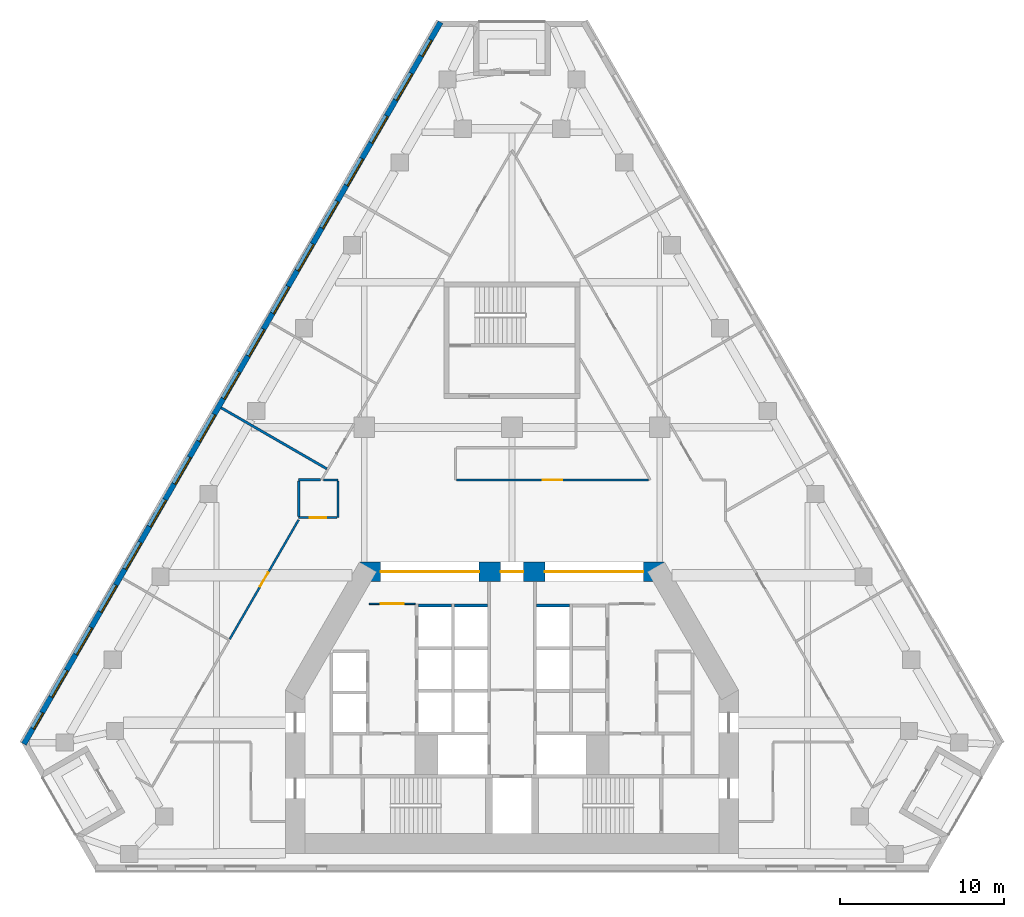
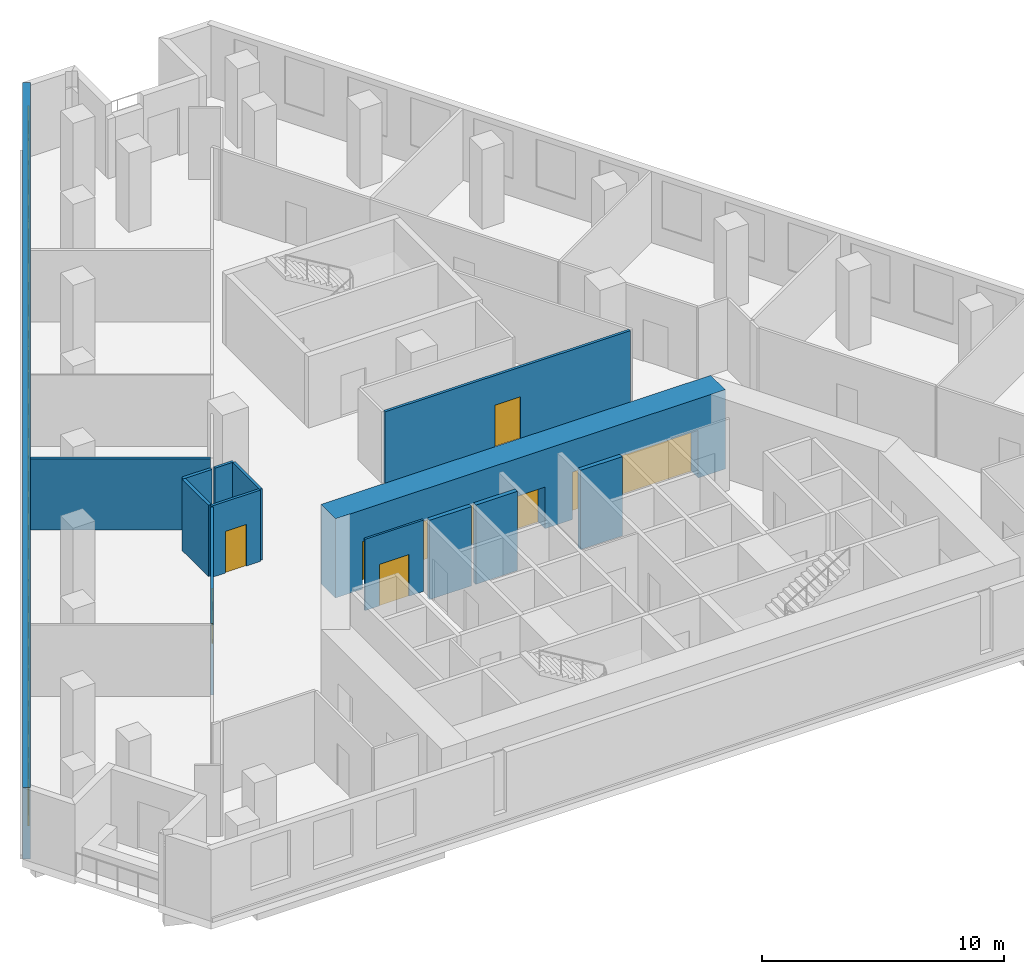
# One storey, part 5 of 10: 17 windows, 14 walls, 7 doors, 24 openings.
"""IFC4 building model written with IfcOpenShell, lengths in metres."""

from ifc_helpers import new_model, si_unit, direction, frame, frame_2d, origin, place, context, subcontext, project, spatial, rectangle, extrude, material, layer, layer_set, type_object, element, fill, save


model = new_model("IFC4")

# Units and contexts
model_context = context("Model", 3, precision=1e-05, world=origin(), true_north=direction((0.0, 1.0)))
body_context = subcontext(model_context, "Body", "Model", "MODEL_VIEW")
ifc_project = project(units=[si_unit("LENGTHUNIT", "METRE"), si_unit("AREAUNIT", "SQUARE_METRE"), si_unit("VOLUMEUNIT", "CUBIC_METRE"), si_unit("PLANEANGLEUNIT", "RADIAN"), si_unit("MASSUNIT", "GRAM", prefix="KILO")], contexts=[model_context])

# Site, building, storey
site_placement = place(None, origin())
site = spatial("IfcSite", under=ifc_project, at=site_placement, CompositionType="ELEMENT")
building_placement = place(site_placement, origin())
building = spatial("IfcBuilding", under=site, at=building_placement, Name="Fogline Exchange Tower", CompositionType="ELEMENT")
storey_placement = place(building_placement, frame((0.0, 0.0, 124.10009765625)))
storey = spatial("IfcBuildingStorey", under=building, at=storey_placement, Name="L27", CompositionType="ELEMENT", Elevation=124.10009765625)

# Wall, opening, door
ifc_material_1 = material(Name="Blockwork partition", Category="masonry")
ifc_layer_1 = layer(ifc_material_1, 0.10009765625)
ifc_layer_set_1 = layer_set([ifc_layer_1], Name="CW10")
wall_type_1 = type_object("IfcWallType", Name="CW10", PredefinedType="PARTITIONING", material=ifc_layer_set_1)
wall_1_placement = place(storey_placement, frame((-8.699951171875, 16.25, 0.0), z_axis=(0.0, 0.0, 1.0), x_axis=(1.0, 0.0, 0.0)))
wall_1 = element("IfcWall", 1, at=wall_1_placement, inside=storey, type_object=wall_type_1, Name="Lift lobby partition", PredefinedType="PARTITIONING", context=body_context, shape_type="SweptSolid", body=[
    extrude(rectangle(XDim=2.800048828125, YDim=0.10009765625, at=frame_2d((1.39990234375, 0.0))), origin(), (0.0, 0.0, 1.0), 3.599853515625),
])
opening_1_placement = place(wall_1_placement, frame((0.699951171875, 0.0, 0.0)))
opening_1 = element("IfcOpeningElement", 2, at=opening_1_placement, cuts=wall_1, Name="Opening T08-C007", PredefinedType="OPENING", context=body_context, shape_type="SweptSolid", body=[
    extrude(rectangle(XDim=1.39990234375, YDim=2.10009765625, at=frame_2d((0.699951171875, 1.050048828125))), frame((0.0, 0.06005859375, 0.0), z_axis=(0.0, -1.0, 0.0), x_axis=(1.0, 0.0, 0.0)), (0.0, 0.0, 1.0), 0.1201171875),
])
ifc_material_2 = material(Name="Steel and timber fire door", Category="steel")
door_type_1 = type_object("IfcDoorType", Name="D-LB1", OperationType="DOUBLE_DOOR_SINGLE_SWING", PredefinedType="DOOR", material=ifc_material_2)
door_1_placement = place(opening_1_placement, origin())
door_1 = element("IfcDoor", 3, at=door_1_placement, inside=storey, type_object=door_type_1, Name="Door to lift lobby", OperationType="DOUBLE_DOOR_SINGLE_SWING", OverallHeight=2.10009765625, OverallWidth=1.39990234375, PredefinedType="DOOR", context=body_context, shape_type="SweptSolid", body=[
    extrude(rectangle(XDim=1.39990234375, YDim=2.10009765625, at=frame_2d((0.699951171875, 1.050048828125))), frame((0.0, 0.02490234375, 0.0), z_axis=(0.0, -1.0, 0.0), x_axis=(1.0, 0.0, 0.0)), (0.0, 0.0, 1.0), 0.050048828125),
])
fill(opening_1, door_1)

# Walls
ifc_material_3 = material(Name="Concrete C40", Category="concrete")
ifc_layer_2 = layer(ifc_material_3, 0.199951171875)
ifc_layer_set_2 = layer_set([ifc_layer_2], Name="CW20S")
wall_type_2 = type_object("IfcWallType", Name="CW20S", PredefinedType="SOLIDWALL", material=ifc_layer_set_2)
for number, where, z_axis, x_axis, name in (
    (4, (-5.699951171875, 16.14990234375, -0.400146484375), (0.0, 0.0, 1.0), (1.0, 0.0, 0.0), "Lift shaft wall"),
    (5, (-3.5, 16.14990234375, -0.400146484375), (0.0, 0.0, 1.0), (1.0, 0.0, 0.0), "Lift shaft wall"),
    (6, (1.5, 16.14990234375, -0.400146484375), (0.0, 0.0, 1.0), (1.0, 0.0, 0.0), "Lift shaft wall"),
):
    element("IfcWall", number, at=place(storey_placement, frame(where, z_axis=z_axis, x_axis=x_axis)), inside=storey, type_object=wall_type_2, Name=name, PredefinedType="SOLIDWALL", context=body_context, shape_type="SweptSolid", body=[
        extrude(rectangle(XDim=2.0, YDim=0.199951171875, at=frame_2d((1.0, 0.0))), origin(), (0.0, 0.0, 1.0), 4.0),
    ])

# Wall, openings, windows
ifc_material_4 = material(Name="Brick masonry", Category="masonry")
ifc_layer_3 = layer(ifc_material_4, 0.340087890625)
ifc_layer_set_3 = layer_set([ifc_layer_3], Name="FW1")
wall_type_3 = type_object("IfcWallType", Name="FW1", PredefinedType="SOLIDWALL", material=ifc_layer_set_3)
wall_2_placement = place(storey_placement, frame((-4.352783203125, 51.691650390625, 0.0), z_axis=(0.0, 0.0, 1.0), x_axis=(-0.500000700546, -0.866024999324, 0.0)))
wall_2 = element("IfcWall", 7, at=wall_2_placement, inside=storey, type_object=wall_type_3, Name="Brick wall L27 W", PredefinedType="SOLIDWALL", context=body_context, shape_type="SweptSolid", body=[
    extrude(rectangle(XDim=50.78662109375, YDim=0.340087890625, at=frame_2d((25.393310546875, 0.0))), origin(), (0.0, 0.0, 1.0), 3.599853515625),
])
opening_2_placement = place(wall_2_placement, frame((3.58984375, 0.0, 0.89990234375)))
opening_2 = element("IfcOpeningElement", 8, at=opening_2_placement, cuts=wall_2, Name="Opening W1", PredefinedType="OPENING", context=body_context, shape_type="SweptSolid", body=[
    extrude(rectangle(XDim=1.885009765625, YDim=2.39990234375, at=frame_2d((0.9423828125, 1.199951171875))), frame((0.0, 0.18017578125, 0.0), z_axis=(0.0, -1.0, 0.0), x_axis=(1.0, 0.0, 0.0)), (0.0, 0.0, 1.0), 0.360107421875),
])
opening_3_placement = place(wall_2_placement, frame((6.58984375, 0.0, 0.89990234375)))
opening_3 = element("IfcOpeningElement", 9, at=opening_3_placement, cuts=wall_2, Name="Opening W1", PredefinedType="OPENING", context=body_context, shape_type="SweptSolid", body=[
    extrude(rectangle(XDim=1.885009765625, YDim=2.39990234375, at=frame_2d((0.9423828125, 1.199951171875))), frame((0.0, 0.18017578125, 0.0), z_axis=(0.0, -1.0, 0.0), x_axis=(1.0, 0.0, 0.0)), (0.0, 0.0, 1.0), 0.360107421875),
])
opening_4_placement = place(wall_2_placement, frame((9.58984375, 0.0, 0.89990234375)))
opening_4 = element("IfcOpeningElement", 10, at=opening_4_placement, cuts=wall_2, Name="Opening W1", PredefinedType="OPENING", context=body_context, shape_type="SweptSolid", body=[
    extrude(rectangle(XDim=1.885009765625, YDim=2.39990234375, at=frame_2d((0.9423828125, 1.199951171875))), frame((0.0, 0.18017578125, 0.0), z_axis=(0.0, -1.0, 0.0), x_axis=(1.0, 0.0, 0.0)), (0.0, 0.0, 1.0), 0.360107421875),
])
opening_5_placement = place(wall_2_placement, frame((12.58984375, 0.0, 0.89990234375)))
opening_5 = element("IfcOpeningElement", 11, at=opening_5_placement, cuts=wall_2, Name="Opening W1", PredefinedType="OPENING", context=body_context, shape_type="SweptSolid", body=[
    extrude(rectangle(XDim=1.885009765625, YDim=2.39990234375, at=frame_2d((0.9423828125, 1.199951171875))), frame((0.0, 0.18017578125, 0.0), z_axis=(0.0, -1.0, 0.0), x_axis=(1.0, 0.0, 0.0)), (0.0, 0.0, 1.0), 0.360107421875),
])
opening_6_placement = place(wall_2_placement, frame((15.58984375, 0.0, 0.89990234375)))
opening_6 = element("IfcOpeningElement", 12, at=opening_6_placement, cuts=wall_2, Name="Opening W1", PredefinedType="OPENING", context=body_context, shape_type="SweptSolid", body=[
    extrude(rectangle(XDim=1.885009765625, YDim=2.39990234375, at=frame_2d((0.9423828125, 1.199951171875))), frame((0.0, 0.18017578125, 0.0), z_axis=(0.0, -1.0, 0.0), x_axis=(1.0, 0.0, 0.0)), (0.0, 0.0, 1.0), 0.360107421875),
])
opening_7_placement = place(wall_2_placement, frame((18.58984375, 0.0, 0.89990234375)))
opening_7 = element("IfcOpeningElement", 13, at=opening_7_placement, cuts=wall_2, Name="Opening W1", PredefinedType="OPENING", context=body_context, shape_type="SweptSolid", body=[
    extrude(rectangle(XDim=1.885009765625, YDim=2.39990234375, at=frame_2d((0.9423828125, 1.199951171875))), frame((0.0, 0.18017578125, 0.0), z_axis=(0.0, -1.0, 0.0), x_axis=(1.0, 0.0, 0.0)), (0.0, 0.0, 1.0), 0.360107421875),
])
opening_8_placement = place(wall_2_placement, frame((21.58984375, 0.0, 0.89990234375)))
opening_8 = element("IfcOpeningElement", 14, at=opening_8_placement, cuts=wall_2, Name="Opening W1", PredefinedType="OPENING", context=body_context, shape_type="SweptSolid", body=[
    extrude(rectangle(XDim=1.885009765625, YDim=2.39990234375, at=frame_2d((0.9423828125, 1.199951171875))), frame((0.0, 0.18017578125, 0.0), z_axis=(0.0, -1.0, 0.0), x_axis=(1.0, 0.0, 0.0)), (0.0, 0.0, 1.0), 0.360107421875),
])
opening_9_placement = place(wall_2_placement, frame((24.58984375, 0.0, 0.89990234375)))
opening_9 = element("IfcOpeningElement", 15, at=opening_9_placement, cuts=wall_2, Name="Opening W1", PredefinedType="OPENING", context=body_context, shape_type="SweptSolid", body=[
    extrude(rectangle(XDim=1.885009765625, YDim=2.39990234375, at=frame_2d((0.9423828125, 1.199951171875))), frame((0.0, 0.18017578125, 0.0), z_axis=(0.0, -1.0, 0.0), x_axis=(1.0, 0.0, 0.0)), (0.0, 0.0, 1.0), 0.360107421875),
])
opening_10_placement = place(wall_2_placement, frame((27.58984375, 0.0, 0.89990234375)))
opening_10 = element("IfcOpeningElement", 16, at=opening_10_placement, cuts=wall_2, Name="Opening W1", PredefinedType="OPENING", context=body_context, shape_type="SweptSolid", body=[
    extrude(rectangle(XDim=1.885009765625, YDim=2.39990234375, at=frame_2d((0.9423828125, 1.199951171875))), frame((0.0, 0.18017578125, 0.0), z_axis=(0.0, -1.0, 0.0), x_axis=(1.0, 0.0, 0.0)), (0.0, 0.0, 1.0), 0.360107421875),
])
opening_11_placement = place(wall_2_placement, frame((30.58984375, 0.0, 0.89990234375)))
opening_11 = element("IfcOpeningElement", 17, at=opening_11_placement, cuts=wall_2, Name="Opening W1", PredefinedType="OPENING", context=body_context, shape_type="SweptSolid", body=[
    extrude(rectangle(XDim=1.885009765625, YDim=2.39990234375, at=frame_2d((0.9423828125, 1.199951171875))), frame((0.0, 0.18017578125, 0.0), z_axis=(0.0, -1.0, 0.0), x_axis=(1.0, 0.0, 0.0)), (0.0, 0.0, 1.0), 0.360107421875),
])
opening_12_placement = place(wall_2_placement, frame((33.58984375, 0.0, 0.89990234375)))
opening_12 = element("IfcOpeningElement", 18, at=opening_12_placement, cuts=wall_2, Name="Opening W1", PredefinedType="OPENING", context=body_context, shape_type="SweptSolid", body=[
    extrude(rectangle(XDim=1.885009765625, YDim=2.39990234375, at=frame_2d((0.9423828125, 1.199951171875))), frame((0.0, 0.18017578125, 0.0), z_axis=(0.0, -1.0, 0.0), x_axis=(1.0, 0.0, 0.0)), (0.0, 0.0, 1.0), 0.360107421875),
])
opening_13_placement = place(wall_2_placement, frame((36.58984375, 0.0, 0.89990234375)))
opening_13 = element("IfcOpeningElement", 19, at=opening_13_placement, cuts=wall_2, Name="Opening W1", PredefinedType="OPENING", context=body_context, shape_type="SweptSolid", body=[
    extrude(rectangle(XDim=1.885009765625, YDim=2.39990234375, at=frame_2d((0.9423828125, 1.199951171875))), frame((0.0, 0.18017578125, 0.0), z_axis=(0.0, -1.0, 0.0), x_axis=(1.0, 0.0, 0.0)), (0.0, 0.0, 1.0), 0.360107421875),
])
opening_14_placement = place(wall_2_placement, frame((39.58984375, 0.0, 0.89990234375)))
opening_14 = element("IfcOpeningElement", 20, at=opening_14_placement, cuts=wall_2, Name="Opening W1", PredefinedType="OPENING", context=body_context, shape_type="SweptSolid", body=[
    extrude(rectangle(XDim=1.885009765625, YDim=2.39990234375, at=frame_2d((0.9423828125, 1.199951171875))), frame((0.0, 0.18017578125, 0.0), z_axis=(0.0, -1.0, 0.0), x_axis=(1.0, 0.0, 0.0)), (0.0, 0.0, 1.0), 0.360107421875),
])
opening_15_placement = place(wall_2_placement, frame((42.58984375, 0.0, 0.89990234375)))
opening_15 = element("IfcOpeningElement", 21, at=opening_15_placement, cuts=wall_2, Name="Opening W1", PredefinedType="OPENING", context=body_context, shape_type="SweptSolid", body=[
    extrude(rectangle(XDim=1.885009765625, YDim=2.39990234375, at=frame_2d((0.9423828125, 1.199951171875))), frame((0.0, 0.18017578125, 0.0), z_axis=(0.0, -1.0, 0.0), x_axis=(1.0, 0.0, 0.0)), (0.0, 0.0, 1.0), 0.360107421875),
])
opening_16_placement = place(wall_2_placement, frame((45.58984375, 0.0, 0.89990234375)))
opening_16 = element("IfcOpeningElement", 22, at=opening_16_placement, cuts=wall_2, Name="Opening W1", PredefinedType="OPENING", context=body_context, shape_type="SweptSolid", body=[
    extrude(rectangle(XDim=1.885009765625, YDim=2.39990234375, at=frame_2d((0.9423828125, 1.199951171875))), frame((0.0, 0.18017578125, 0.0), z_axis=(0.0, -1.0, 0.0), x_axis=(1.0, 0.0, 0.0)), (0.0, 0.0, 1.0), 0.360107421875),
])
opening_17_placement = place(wall_2_placement, frame((1.237548828125, 0.0, 0.89990234375)))
opening_17 = element("IfcOpeningElement", 23, at=opening_17_placement, cuts=wall_2, Name="Opening W4", PredefinedType="OPENING", context=body_context, shape_type="SweptSolid", body=[
    extrude(rectangle(XDim=1.114990234375, YDim=2.39990234375, at=frame_2d((0.5576171875, 1.199951171875))), frame((0.0, 0.18017578125, 0.0), z_axis=(0.0, -1.0, 0.0), x_axis=(1.0, 0.0, 0.0)), (0.0, 0.0, 1.0), 0.360107421875),
])
opening_18_placement = place(wall_2_placement, frame((48.5732421875, 0.0, 0.89990234375)))
opening_18 = element("IfcOpeningElement", 24, at=opening_18_placement, cuts=wall_2, Name="Opening W4", PredefinedType="OPENING", context=body_context, shape_type="SweptSolid", body=[
    extrude(rectangle(XDim=1.114990234375, YDim=2.39990234375, at=frame_2d((0.5576171875, 1.199951171875))), frame((0.0, 0.18017578125, 0.0), z_axis=(0.0, -1.0, 0.0), x_axis=(1.0, 0.0, 0.0)), (0.0, 0.0, 1.0), 0.360107421875),
])
ifc_material_5 = material(Name="Aluminium and glass", Category="aluminium")
window_type_1 = type_object("IfcWindowType", Name="W1", PartitioningType="SINGLE_PANEL", PredefinedType="WINDOW", material=ifc_material_5)
window_1_placement = place(opening_2_placement, origin())
window_1 = element("IfcWindow", 25, at=window_1_placement, inside=storey, type_object=window_type_1, Name="W1 W1", OverallHeight=2.39990234375, OverallWidth=1.885009765625, PartitioningType="SINGLE_PANEL", PredefinedType="WINDOW", context=body_context, shape_type="SweptSolid", body=[
    extrude(rectangle(XDim=1.885009765625, YDim=2.39990234375, at=frame_2d((0.9423828125, 1.199951171875))), frame((0.0, 0.110107421875, 0.0), z_axis=(0.0, -1.0, 0.0), x_axis=(1.0, 0.0, 0.0)), (0.0, 0.0, 1.0), 0.06005859375),
])
fill(opening_2, window_1)
window_2_placement = place(opening_3_placement, origin())
window_2 = element("IfcWindow", 26, at=window_2_placement, inside=storey, type_object=window_type_1, Name="W1 W1", OverallHeight=2.39990234375, OverallWidth=1.885009765625, PartitioningType="SINGLE_PANEL", PredefinedType="WINDOW", context=body_context, shape_type="SweptSolid", body=[
    extrude(rectangle(XDim=1.885009765625, YDim=2.39990234375, at=frame_2d((0.9423828125, 1.199951171875))), frame((0.0, 0.110107421875, 0.0), z_axis=(0.0, -1.0, 0.0), x_axis=(1.0, 0.0, 0.0)), (0.0, 0.0, 1.0), 0.06005859375),
])
fill(opening_3, window_2)
window_3_placement = place(opening_4_placement, origin())
window_3 = element("IfcWindow", 27, at=window_3_placement, inside=storey, type_object=window_type_1, Name="W1 W1", OverallHeight=2.39990234375, OverallWidth=1.885009765625, PartitioningType="SINGLE_PANEL", PredefinedType="WINDOW", context=body_context, shape_type="SweptSolid", body=[
    extrude(rectangle(XDim=1.885009765625, YDim=2.39990234375, at=frame_2d((0.9423828125, 1.199951171875))), frame((0.0, 0.110107421875, 0.0), z_axis=(0.0, -1.0, 0.0), x_axis=(1.0, 0.0, 0.0)), (0.0, 0.0, 1.0), 0.06005859375),
])
fill(opening_4, window_3)
window_4_placement = place(opening_5_placement, origin())
window_4 = element("IfcWindow", 28, at=window_4_placement, inside=storey, type_object=window_type_1, Name="W1 W1", OverallHeight=2.39990234375, OverallWidth=1.885009765625, PartitioningType="SINGLE_PANEL", PredefinedType="WINDOW", context=body_context, shape_type="SweptSolid", body=[
    extrude(rectangle(XDim=1.885009765625, YDim=2.39990234375, at=frame_2d((0.9423828125, 1.199951171875))), frame((0.0, 0.110107421875, 0.0), z_axis=(0.0, -1.0, 0.0), x_axis=(1.0, 0.0, 0.0)), (0.0, 0.0, 1.0), 0.06005859375),
])
fill(opening_5, window_4)
window_5_placement = place(opening_6_placement, origin())
window_5 = element("IfcWindow", 29, at=window_5_placement, inside=storey, type_object=window_type_1, Name="W1 W1", OverallHeight=2.39990234375, OverallWidth=1.885009765625, PartitioningType="SINGLE_PANEL", PredefinedType="WINDOW", context=body_context, shape_type="SweptSolid", body=[
    extrude(rectangle(XDim=1.885009765625, YDim=2.39990234375, at=frame_2d((0.9423828125, 1.199951171875))), frame((0.0, 0.110107421875, 0.0), z_axis=(0.0, -1.0, 0.0), x_axis=(1.0, 0.0, 0.0)), (0.0, 0.0, 1.0), 0.06005859375),
])
fill(opening_6, window_5)
window_6_placement = place(opening_7_placement, origin())
window_6 = element("IfcWindow", 30, at=window_6_placement, inside=storey, type_object=window_type_1, Name="W1 W1", OverallHeight=2.39990234375, OverallWidth=1.885009765625, PartitioningType="SINGLE_PANEL", PredefinedType="WINDOW", context=body_context, shape_type="SweptSolid", body=[
    extrude(rectangle(XDim=1.885009765625, YDim=2.39990234375, at=frame_2d((0.9423828125, 1.199951171875))), frame((0.0, 0.110107421875, 0.0), z_axis=(0.0, -1.0, 0.0), x_axis=(1.0, 0.0, 0.0)), (0.0, 0.0, 1.0), 0.06005859375),
])
fill(opening_7, window_6)
window_7_placement = place(opening_8_placement, origin())
window_7 = element("IfcWindow", 31, at=window_7_placement, inside=storey, type_object=window_type_1, Name="W1 W1", OverallHeight=2.39990234375, OverallWidth=1.885009765625, PartitioningType="SINGLE_PANEL", PredefinedType="WINDOW", context=body_context, shape_type="SweptSolid", body=[
    extrude(rectangle(XDim=1.885009765625, YDim=2.39990234375, at=frame_2d((0.9423828125, 1.199951171875))), frame((0.0, 0.110107421875, 0.0), z_axis=(0.0, -1.0, 0.0), x_axis=(1.0, 0.0, 0.0)), (0.0, 0.0, 1.0), 0.06005859375),
])
fill(opening_8, window_7)
window_8_placement = place(opening_9_placement, origin())
window_8 = element("IfcWindow", 32, at=window_8_placement, inside=storey, type_object=window_type_1, Name="W1 W1", OverallHeight=2.39990234375, OverallWidth=1.885009765625, PartitioningType="SINGLE_PANEL", PredefinedType="WINDOW", context=body_context, shape_type="SweptSolid", body=[
    extrude(rectangle(XDim=1.885009765625, YDim=2.39990234375, at=frame_2d((0.9423828125, 1.199951171875))), frame((0.0, 0.110107421875, 0.0), z_axis=(0.0, -1.0, 0.0), x_axis=(1.0, 0.0, 0.0)), (0.0, 0.0, 1.0), 0.06005859375),
])
fill(opening_9, window_8)
window_9_placement = place(opening_10_placement, origin())
window_9 = element("IfcWindow", 33, at=window_9_placement, inside=storey, type_object=window_type_1, Name="W1 W1", OverallHeight=2.39990234375, OverallWidth=1.885009765625, PartitioningType="SINGLE_PANEL", PredefinedType="WINDOW", context=body_context, shape_type="SweptSolid", body=[
    extrude(rectangle(XDim=1.885009765625, YDim=2.39990234375, at=frame_2d((0.9423828125, 1.199951171875))), frame((0.0, 0.110107421875, 0.0), z_axis=(0.0, -1.0, 0.0), x_axis=(1.0, 0.0, 0.0)), (0.0, 0.0, 1.0), 0.06005859375),
])
fill(opening_10, window_9)
window_10_placement = place(opening_11_placement, origin())
window_10 = element("IfcWindow", 34, at=window_10_placement, inside=storey, type_object=window_type_1, Name="W1 W1", OverallHeight=2.39990234375, OverallWidth=1.885009765625, PartitioningType="SINGLE_PANEL", PredefinedType="WINDOW", context=body_context, shape_type="SweptSolid", body=[
    extrude(rectangle(XDim=1.885009765625, YDim=2.39990234375, at=frame_2d((0.9423828125, 1.199951171875))), frame((0.0, 0.110107421875, 0.0), z_axis=(0.0, -1.0, 0.0), x_axis=(1.0, 0.0, 0.0)), (0.0, 0.0, 1.0), 0.06005859375),
])
fill(opening_11, window_10)
window_11_placement = place(opening_12_placement, origin())
window_11 = element("IfcWindow", 35, at=window_11_placement, inside=storey, type_object=window_type_1, Name="W1 W1", OverallHeight=2.39990234375, OverallWidth=1.885009765625, PartitioningType="SINGLE_PANEL", PredefinedType="WINDOW", context=body_context, shape_type="SweptSolid", body=[
    extrude(rectangle(XDim=1.885009765625, YDim=2.39990234375, at=frame_2d((0.9423828125, 1.199951171875))), frame((0.0, 0.110107421875, 0.0), z_axis=(0.0, -1.0, 0.0), x_axis=(1.0, 0.0, 0.0)), (0.0, 0.0, 1.0), 0.06005859375),
])
fill(opening_12, window_11)
window_12_placement = place(opening_13_placement, origin())
window_12 = element("IfcWindow", 36, at=window_12_placement, inside=storey, type_object=window_type_1, Name="W1 W1", OverallHeight=2.39990234375, OverallWidth=1.885009765625, PartitioningType="SINGLE_PANEL", PredefinedType="WINDOW", context=body_context, shape_type="SweptSolid", body=[
    extrude(rectangle(XDim=1.885009765625, YDim=2.39990234375, at=frame_2d((0.9423828125, 1.199951171875))), frame((0.0, 0.110107421875, 0.0), z_axis=(0.0, -1.0, 0.0), x_axis=(1.0, 0.0, 0.0)), (0.0, 0.0, 1.0), 0.06005859375),
])
fill(opening_13, window_12)
window_13_placement = place(opening_14_placement, origin())
window_13 = element("IfcWindow", 37, at=window_13_placement, inside=storey, type_object=window_type_1, Name="W1 W1", OverallHeight=2.39990234375, OverallWidth=1.885009765625, PartitioningType="SINGLE_PANEL", PredefinedType="WINDOW", context=body_context, shape_type="SweptSolid", body=[
    extrude(rectangle(XDim=1.885009765625, YDim=2.39990234375, at=frame_2d((0.9423828125, 1.199951171875))), frame((0.0, 0.110107421875, 0.0), z_axis=(0.0, -1.0, 0.0), x_axis=(1.0, 0.0, 0.0)), (0.0, 0.0, 1.0), 0.06005859375),
])
fill(opening_14, window_13)
window_14_placement = place(opening_15_placement, origin())
window_14 = element("IfcWindow", 38, at=window_14_placement, inside=storey, type_object=window_type_1, Name="W1 W1", OverallHeight=2.39990234375, OverallWidth=1.885009765625, PartitioningType="SINGLE_PANEL", PredefinedType="WINDOW", context=body_context, shape_type="SweptSolid", body=[
    extrude(rectangle(XDim=1.885009765625, YDim=2.39990234375, at=frame_2d((0.9423828125, 1.199951171875))), frame((0.0, 0.110107421875, 0.0), z_axis=(0.0, -1.0, 0.0), x_axis=(1.0, 0.0, 0.0)), (0.0, 0.0, 1.0), 0.06005859375),
])
fill(opening_15, window_14)
window_15_placement = place(opening_16_placement, origin())
window_15 = element("IfcWindow", 39, at=window_15_placement, inside=storey, type_object=window_type_1, Name="W1 W1", OverallHeight=2.39990234375, OverallWidth=1.885009765625, PartitioningType="SINGLE_PANEL", PredefinedType="WINDOW", context=body_context, shape_type="SweptSolid", body=[
    extrude(rectangle(XDim=1.885009765625, YDim=2.39990234375, at=frame_2d((0.9423828125, 1.199951171875))), frame((0.0, 0.110107421875, 0.0), z_axis=(0.0, -1.0, 0.0), x_axis=(1.0, 0.0, 0.0)), (0.0, 0.0, 1.0), 0.06005859375),
])
fill(opening_16, window_15)
window_type_2 = type_object("IfcWindowType", Name="W4", PartitioningType="SINGLE_PANEL", PredefinedType="WINDOW", material=ifc_material_5)
window_16_placement = place(opening_17_placement, origin())
window_16 = element("IfcWindow", 40, at=window_16_placement, inside=storey, type_object=window_type_2, Name="W4 W4", OverallHeight=2.39990234375, OverallWidth=1.114990234375, PartitioningType="SINGLE_PANEL", PredefinedType="WINDOW", context=body_context, shape_type="SweptSolid", body=[
    extrude(rectangle(XDim=1.114990234375, YDim=2.39990234375, at=frame_2d((0.5576171875, 1.199951171875))), frame((0.0, 0.110107421875, 0.0), z_axis=(0.0, -1.0, 0.0), x_axis=(1.0, 0.0, 0.0)), (0.0, 0.0, 1.0), 0.06005859375),
])
fill(opening_17, window_16)
window_17_placement = place(opening_18_placement, origin())
window_17 = element("IfcWindow", 41, at=window_17_placement, inside=storey, type_object=window_type_2, Name="W4 W4", OverallHeight=2.39990234375, OverallWidth=1.114990234375, PartitioningType="SINGLE_PANEL", PredefinedType="WINDOW", context=body_context, shape_type="SweptSolid", body=[
    extrude(rectangle(XDim=1.114990234375, YDim=2.39990234375, at=frame_2d((0.5576171875, 1.199951171875))), frame((0.0, 0.110107421875, 0.0), z_axis=(0.0, -1.0, 0.0), x_axis=(1.0, 0.0, 0.0)), (0.0, 0.0, 1.0), 0.06005859375),
])
fill(opening_18, window_17)

# Wall, opening, door
ifc_material_6 = material(Name="Plasterboard corridor partition with mineral wool, 2 layers each side")
ifc_layer_4 = layer(ifc_material_6, 0.125)
ifc_layer_set_4 = layer_set([ifc_layer_4], Name="PW2")
wall_type_4 = type_object("IfcWallType", Name="PW2", PredefinedType="PARTITIONING", material=ifc_layer_set_4)
wall_3_placement = place(storey_placement, frame((-3.387451171875, 23.800048828125, 0.0), z_axis=(0.0, 0.0, 1.0), x_axis=(1.0, 0.0, 0.0)))
wall_3 = element("IfcWall", 42, at=wall_3_placement, inside=storey, type_object=wall_type_4, Name="wall-L27-W005", PredefinedType="PARTITIONING", context=body_context, shape_type="SweptSolid", body=[
    extrude(rectangle(XDim=11.70263671875, YDim=0.125, at=frame_2d((5.851318359375, 0.0))), origin(), (0.0, 0.0, 1.0), 3.599853515625),
])
opening_19_placement = place(wall_3_placement, frame((5.25146484375, 0.0, 0.0)))
opening_19 = element("IfcOpeningElement", 43, at=opening_19_placement, cuts=wall_3, Name="Opening T08-D002", PredefinedType="OPENING", context=body_context, shape_type="SweptSolid", body=[
    extrude(rectangle(XDim=1.199951171875, YDim=2.10009765625, at=frame_2d((0.60009765625, 1.050048828125))), frame((0.0, 0.072509765625, 0.0), z_axis=(0.0, -1.0, 0.0), x_axis=(1.0, 0.0, 0.0)), (0.0, 0.0, 1.0), 0.14501953125),
])
ifc_material_7 = material(Name="Fire-rated glazed door leaf with steel frame", Category="steel")
door_type_2 = type_object("IfcDoorType", Name="D5", OperationType="SINGLE_SWING_LEFT", PredefinedType="DOOR", material=ifc_material_7)
door_2_placement = place(opening_19_placement, origin())
door_2 = element("IfcDoor", 44, at=door_2_placement, inside=storey, type_object=door_type_2, Name="door-L27-D002", OperationType="SINGLE_SWING_RIGHT", OverallHeight=2.10009765625, OverallWidth=1.199951171875, PredefinedType="DOOR", context=body_context, shape_type="SweptSolid", body=[
    extrude(rectangle(XDim=1.199951171875, YDim=2.10009765625, at=frame_2d((0.60009765625, 1.050048828125))), frame((0.0, 0.02490234375, 0.0), z_axis=(0.0, -1.0, 0.0), x_axis=(1.0, 0.0, 0.0)), (0.0, 0.0, 1.0), 0.050048828125),
])
fill(opening_19, door_2)

wall_4_placement = place(storey_placement, frame((-13.0, 21.5, 0.0), z_axis=(0.0, 0.0, 1.0), x_axis=(1.0, 0.0, 0.0)))
wall_4 = element("IfcWall", 45, at=wall_4_placement, inside=storey, type_object=wall_type_4, Name="wall-L27-W006", PredefinedType="PARTITIONING", context=body_context, shape_type="SweptSolid", body=[
    extrude(rectangle(XDim=2.33740234375, YDim=0.125, at=frame_2d((1.168701171875, 0.0))), origin(), (0.0, 0.0, 1.0), 3.599853515625),
])
opening_20_placement = place(wall_4_placement, frame((0.668701171875, 0.0, 0.0)))
opening_20 = element("IfcOpeningElement", 46, at=opening_20_placement, cuts=wall_4, Name="Opening T08-D003", PredefinedType="OPENING", context=body_context, shape_type="SweptSolid", body=[
    extrude(rectangle(XDim=1.0, YDim=2.10009765625, at=frame_2d((0.5, 1.050048828125))), frame((0.0, 0.072509765625, 0.0), z_axis=(0.0, -1.0, 0.0), x_axis=(1.0, 0.0, 0.0)), (0.0, 0.0, 1.0), 0.14501953125),
])
ifc_material_8 = material(Name="Fire-rated timber door leaf with steel frame", Category="steel")
door_type_3 = type_object("IfcDoorType", Name="D3", OperationType="SINGLE_SWING_LEFT", PredefinedType="DOOR", material=ifc_material_8)
door_3_placement = place(opening_20_placement, origin())
door_3 = element("IfcDoor", 47, at=door_3_placement, inside=storey, type_object=door_type_3, Name="door-L27-D003", OperationType="SINGLE_SWING_LEFT", OverallHeight=2.10009765625, OverallWidth=1.0, PredefinedType="DOOR", context=body_context, shape_type="SweptSolid", body=[
    extrude(rectangle(XDim=1.0, YDim=2.10009765625, at=frame_2d((0.5, 1.050048828125))), frame((0.0, 0.02490234375, 0.0), z_axis=(0.0, -1.0, 0.0), x_axis=(1.0, 0.0, 0.0)), (0.0, 0.0, 1.0), 0.050048828125),
])
fill(opening_20, door_3)

# Walls
wall_5_placement = place(storey_placement, frame((-10.60009765625, 21.5, 0.0), z_axis=(0.0, 0.0, 1.0), x_axis=(0.0, 1.0, 0.0)))
element("IfcWall", 48, at=wall_5_placement, inside=storey, type_object=wall_type_4, Name="wall-L27-W007", PredefinedType="PARTITIONING", context=body_context, shape_type="SweptSolid", body=[
    extrude(rectangle(XDim=2.237548828125, YDim=0.125, at=frame_2d((1.11865234375, 0.0))), origin(), (0.0, 0.0, 1.0), 3.599853515625),
])
wall_6_placement = place(storey_placement, frame((-10.60009765625, 23.800048828125, 0.0), z_axis=(0.0, 0.0, 1.0), x_axis=(-1.0, 0.0, 0.0)))
element("IfcWall", 49, at=wall_6_placement, inside=storey, type_object=wall_type_4, Name="wall-L27-W021", PredefinedType="PARTITIONING", context=body_context, shape_type="SweptSolid", body=[
    extrude(rectangle(XDim=0.890625, YDim=0.125, at=frame_2d((0.4453125, 0.0))), origin(), (0.0, 0.0, 1.0), 3.599853515625),
])

# Wall, opening, door
wall_7_placement = place(storey_placement, frame((-17.201416015625, 14.097412109375, 0.0), z_axis=(0.0, 0.0, 1.0), x_axis=(0.500010849386, 0.866019139798, 0.0)))
wall_7 = element("IfcWall", 50, at=wall_7_placement, inside=storey, type_object=wall_type_4, Name="wall-L27-W025", PredefinedType="PARTITIONING", context=body_context, shape_type="SweptSolid", body=[
    extrude(rectangle(XDim=8.402587890625, YDim=0.125, at=frame_2d((4.201171875, 0.0))), origin(), (0.0, 0.0, 1.0), 3.599853515625),
])
opening_21_placement = place(wall_7_placement, frame((3.701416015625, 0.0, 0.0)))
opening_21 = element("IfcOpeningElement", 51, at=opening_21_placement, cuts=wall_7, Name="Opening T08-D011", PredefinedType="OPENING", context=body_context, shape_type="SweptSolid", body=[
    extrude(rectangle(XDim=1.0, YDim=2.10009765625, at=frame_2d((0.5, 1.050048828125))), frame((0.0, 0.072509765625, 0.0), z_axis=(0.0, -1.0, 0.0), x_axis=(1.0, 0.0, 0.0)), (0.0, 0.0, 1.0), 0.14501953125),
])
door_4_placement = place(opening_21_placement, origin())
door_4 = element("IfcDoor", 52, at=door_4_placement, inside=storey, type_object=door_type_3, Name="door-L27-D011", OperationType="SINGLE_SWING_LEFT", OverallHeight=2.10009765625, OverallWidth=1.0, PredefinedType="DOOR", context=body_context, shape_type="SweptSolid", body=[
    extrude(rectangle(XDim=1.0, YDim=2.10009765625, at=frame_2d((0.5, 1.050048828125))), frame((0.0, 0.02490234375, 0.0), z_axis=(0.0, -1.0, 0.0), x_axis=(1.0, 0.0, 0.0)), (0.0, 0.0, 1.0), 0.050048828125),
])
fill(opening_21, door_4)

# Walls
ifc_material_9 = material(Name="Plasterboard demising partition with mineral wool and acoustic board")
ifc_layer_5 = layer(ifc_material_9, 0.14990234375)
ifc_layer_set_5 = layer_set([ifc_layer_5], Name="PW3")
wall_type_5 = type_object("IfcWallType", Name="PW3", PredefinedType="PARTITIONING", material=ifc_layer_set_5)
wall_8_placement = place(storey_placement, frame((-11.28076171875, 24.477294921875, 0.0), z_axis=(0.0, 0.0, 1.0), x_axis=(-0.866034711242, 0.499983878664, 0.0)))
element("IfcWall", 53, at=wall_8_placement, inside=storey, type_object=wall_type_5, Name="wall-L27-W041", PredefinedType="PARTITIONING", context=body_context, shape_type="SweptSolid", body=[
    extrude(rectangle(XDim=7.437255859375, YDim=0.14990234375, at=frame_2d((3.71875, 0.0))), origin(), (0.0, 0.0, 1.0), 3.599853515625),
])
wall_9_placement = place(storey_placement, frame((-13.0, 21.5625, 0.0), z_axis=(0.0, 0.0, 1.0), x_axis=(0.0, 1.0, 0.0)))
element("IfcWall", 54, at=wall_9_placement, inside=storey, type_object=wall_type_5, Name="wall-L27-W042", PredefinedType="PARTITIONING", context=body_context, shape_type="SweptSolid", body=[
    extrude(rectangle(XDim=2.16259765625, YDim=0.14990234375, at=frame_2d((1.081298828125, 0.0))), origin(), (0.0, 0.0, 1.0), 3.599853515625),
])
wall_10_placement = place(storey_placement, frame((-13.0, 23.800048828125, 0.0), z_axis=(0.0, 0.0, 1.0), x_axis=(1.0, 0.0, 0.0)))
element("IfcWall", 55, at=wall_10_placement, inside=storey, type_object=wall_type_5, Name="wall-L27-W043", PredefinedType="PARTITIONING", context=body_context, shape_type="SweptSolid", body=[
    extrude(rectangle(XDim=1.345947265625, YDim=0.14990234375, at=frame_2d((0.6728515625, 0.0))), origin(), (0.0, 0.0, 1.0), 3.599853515625),
])

# Wall, openings, doors
ifc_material_10 = material(Name="Concrete C60", Category="concrete")
ifc_layer_6 = layer(ifc_material_10, 1.199951171875)
ifc_layer_set_6 = layer_set([ifc_layer_6], Name="SW02")
wall_type_6 = type_object("IfcWallType", Name="SW02", PredefinedType="SHEAR", material=ifc_layer_set_6)
wall_11_placement = place(storey_placement, frame((9.296142578125, 18.199951171875, 0.0), z_axis=(0.0, 0.0, 1.0), x_axis=(-1.0, 0.0, 0.0)))
wall_11 = element("IfcWall", 56, at=wall_11_placement, inside=storey, type_object=wall_type_6, Name="L27-W904", PredefinedType="SHEAR", context=body_context, shape_type="SweptSolid", body=[
    extrude(rectangle(XDim=18.59228515625, YDim=1.199951171875, at=frame_2d((9.296142578125, 0.0))), origin(), (0.0, 0.0, 1.0), 4.0),
])
opening_22_placement = place(wall_11_placement, frame((8.59619140625, 0.0, 0.0)))
opening_22 = element("IfcOpeningElement", 57, at=opening_22_placement, cuts=wall_11, Name="Opening T08-C020", PredefinedType="OPENING", context=body_context, shape_type="SweptSolid", body=[
    extrude(rectangle(XDim=1.39990234375, YDim=2.10009765625, at=frame_2d((0.699951171875, 1.050048828125))), frame((0.0, 0.60986328125, 0.0), z_axis=(0.0, -1.0, 0.0), x_axis=(1.0, 0.0, 0.0)), (0.0, 0.0, 1.0), 1.219970703125),
])
opening_23_placement = place(wall_11_placement, frame((11.296142578125, 0.0, 0.0)))
opening_23 = element("IfcOpeningElement", 58, at=opening_23_placement, cuts=wall_11, Name="Opening T08-C021", PredefinedType="OPENING", context=body_context, shape_type="SweptSolid", body=[
    extrude(rectangle(XDim=6.0, YDim=2.39990234375, at=frame_2d((3.0, 1.199951171875))), frame((0.0, 0.60986328125, 0.0), z_axis=(0.0, -1.0, 0.0), x_axis=(1.0, 0.0, 0.0)), (0.0, 0.0, 1.0), 1.219970703125),
])
opening_24_placement = place(wall_11_placement, frame((1.296142578125, 0.0, 0.0)))
opening_24 = element("IfcOpeningElement", 59, at=opening_24_placement, cuts=wall_11, Name="Opening T08-C022", PredefinedType="OPENING", context=body_context, shape_type="SweptSolid", body=[
    extrude(rectangle(XDim=6.0, YDim=2.39990234375, at=frame_2d((3.0, 1.199951171875))), frame((0.0, 0.60986328125, 0.0), z_axis=(0.0, -1.0, 0.0), x_axis=(1.0, 0.0, 0.0)), (0.0, 0.0, 1.0), 1.219970703125),
])
door_5_placement = place(opening_22_placement, origin())
door_5 = element("IfcDoor", 60, at=door_5_placement, inside=storey, type_object=door_type_1, Name="Protected lobby door", OperationType="DOUBLE_DOOR_SINGLE_SWING", OverallHeight=2.10009765625, OverallWidth=1.39990234375, PredefinedType="DOOR", context=body_context, shape_type="SweptSolid", body=[
    extrude(rectangle(XDim=1.39990234375, YDim=2.10009765625, at=frame_2d((0.699951171875, 1.050048828125))), frame((0.0, 0.02490234375, 0.0), z_axis=(0.0, -1.0, 0.0), x_axis=(1.0, 0.0, 0.0)), (0.0, 0.0, 1.0), 0.050048828125),
])
fill(opening_22, door_5)
door_type_4 = type_object("IfcDoorType", Name="D-LE1", OperationType="DOUBLE_DOOR_SLIDING", PredefinedType="DOOR", material=ifc_material_2)
door_6_placement = place(opening_23_placement, origin())
door_6 = element("IfcDoor", 61, at=door_6_placement, inside=storey, type_object=door_type_4, Name="Lift lobby entrance west", OperationType="DOUBLE_DOOR_SLIDING", OverallHeight=2.39990234375, OverallWidth=6.0, PredefinedType="DOOR", context=body_context, shape_type="SweptSolid", body=[
    extrude(rectangle(XDim=6.0, YDim=2.39990234375, at=frame_2d((3.0, 1.199951171875))), frame((0.0, 0.02490234375, 0.0), z_axis=(0.0, -1.0, 0.0), x_axis=(1.0, 0.0, 0.0)), (0.0, 0.0, 1.0), 0.050048828125),
])
fill(opening_23, door_6)
door_7_placement = place(opening_24_placement, origin())
door_7 = element("IfcDoor", 62, at=door_7_placement, inside=storey, type_object=door_type_4, Name="Lift lobby entrance east", OperationType="DOUBLE_DOOR_SLIDING", OverallHeight=2.39990234375, OverallWidth=6.0, PredefinedType="DOOR", context=body_context, shape_type="SweptSolid", body=[
    extrude(rectangle(XDim=6.0, YDim=2.39990234375, at=frame_2d((3.0, 1.199951171875))), frame((0.0, 0.02490234375, 0.0), z_axis=(0.0, -1.0, 0.0), x_axis=(1.0, 0.0, 0.0)), (0.0, 0.0, 1.0), 0.050048828125),
])
fill(opening_24, door_7)

save(model, "model.ifc")
